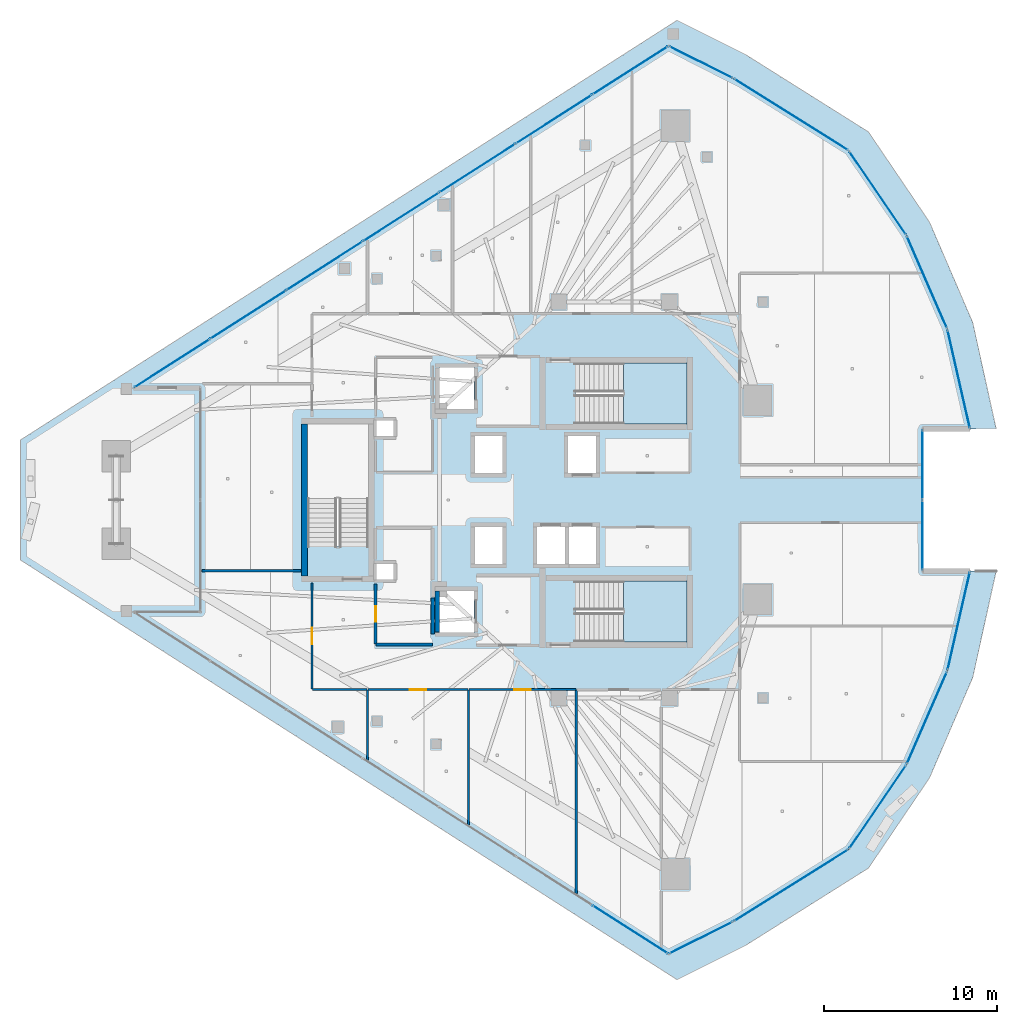
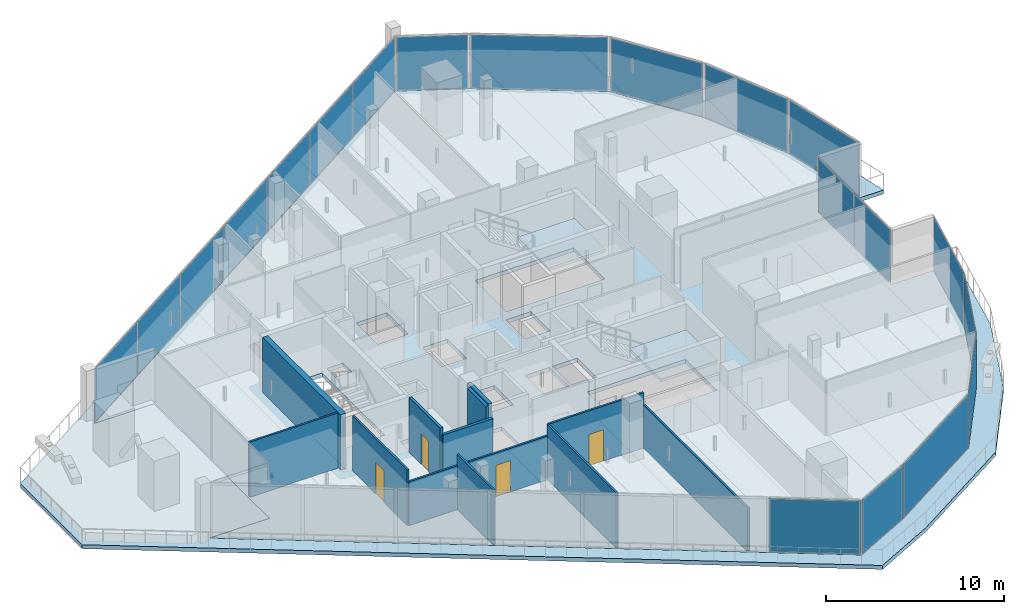
# One storey, part 20 of 32: 20 plates, 13 walls, 4 doors, 4 slabs, 4 openings, 15 elements without a shape of their own.
"""IFC4 building model written with IfcOpenShell, lengths in metres."""

from ifc_helpers import new_model, si_unit, direction, frame, frame_2d, origin, origin_2d, place, context, subcontext, project, spatial, polyline, rectangle, outline, extrude, material, layer, layer_set, type_object, element, fill, aggregate, save


model = new_model("IFC4")

# Units and contexts
model_context = context("Model", 3, precision=1e-05, world=origin(), true_north=direction((0.0, 1.0)))
body_context = subcontext(model_context, "Body", "Model", "MODEL_VIEW")
ifc_project = project(units=[si_unit("LENGTHUNIT", "METRE"), si_unit("AREAUNIT", "SQUARE_METRE"), si_unit("VOLUMEUNIT", "CUBIC_METRE"), si_unit("PLANEANGLEUNIT", "RADIAN"), si_unit("MASSUNIT", "GRAM", prefix="KILO")], contexts=[model_context])

# Site, building, storey
site_placement = place(None, origin())
site = spatial("IfcSite", under=ifc_project, at=site_placement, CompositionType="ELEMENT")
building_placement = place(site_placement, origin())
building = spatial("IfcBuilding", under=site, at=building_placement, Name="Qorvath Tower", CompositionType="ELEMENT")
storey_placement = place(building_placement, frame((0.0, 0.0, 233.39990234375)))
storey = spatial("IfcBuildingStorey", under=building, at=storey_placement, Name="L54", CompositionType="ELEMENT", Elevation=233.39990234375)

# Curtain wall, plate
ifc_material_1 = material(Name="Anodised aluminium and triple low-E glass", Category="aluminium")
ifc_layer_1 = layer(ifc_material_1, 0.179931640625)
ifc_layer_set_1 = layer_set([ifc_layer_1], Name="CW-SYS-5")
curtain_wall_type = type_object("IfcCurtainWallType", Name="CW-SYS-5", PredefinedType="NOTDEFINED", material=ifc_layer_set_1)
curtain_wall_1_placement = place(storey_placement, origin())
curtain_wall_1 = element("IfcCurtainWall", 1, at=curtain_wall_1_placement, inside=storey, type_object=curtain_wall_type, Name="Curtain Wall CW-5 CW-T-L54-4.1", PredefinedType="NOTDEFINED")
ifc_material_2 = material(Name="Low-E triple insulated glass", Category="glass")
ifc_layer_2 = layer(ifc_material_2, 0.031982421875)
ifc_layer_set_2 = layer_set([ifc_layer_2], Name="CWP-GLZ-32")
plate_type = type_object("IfcPlateType", Name="CWP-GLZ-32", PredefinedType="CURTAIN_PANEL", material=ifc_layer_set_2)
plate_1_placement = place(storey_placement, frame((-19.480224609375, -24.808349609375, 0.06494140625), z_axis=(0.0, 0.0, 1.0), x_axis=(0.842607495057, -0.538528188002, 0.0)))
plate_1 = element("IfcPlate", 2, at=plate_1_placement, type_object=plate_type, Name="CW-5 panel 7.1", PredefinedType="CURTAIN_PANEL", context=body_context, shape_type="SweptSolid", body=[
    extrude(rectangle(XDim=5.127197265625, YDim=0.031982421875, at=origin_2d()), origin(), (0.0, 0.0, 1.0), 3.64990234375),
])
aggregate(curtain_wall_1, [plate_1])

curtain_wall_2_placement = place(storey_placement, origin())
curtain_wall_2 = element("IfcCurtainWall", 3, at=curtain_wall_2_placement, inside=storey, type_object=curtain_wall_type, Name="Curtain Wall CW-5 CW-T-L54-5.1", PredefinedType="NOTDEFINED")
plate_2_placement = place(storey_placement, frame((-15.38330078125, -25.29248046875, 0.06494140625), z_axis=(0.0, 0.0, 1.0), x_axis=(0.894427191001, 0.447213595499, 0.0)))
plate_2 = element("IfcPlate", 4, at=plate_2_placement, type_object=plate_type, Name="CW-5 panel 1.1", PredefinedType="CURTAIN_PANEL", context=body_context, shape_type="SweptSolid", body=[
    extrude(rectangle(XDim=4.039306640625, YDim=0.031982421875, at=origin_2d()), origin(), (0.0, 0.0, 1.0), 3.64990234375),
])
aggregate(curtain_wall_2, [plate_2])

curtain_wall_3_placement = place(storey_placement, origin())
curtain_wall_3 = element("IfcCurtainWall", 5, at=curtain_wall_3_placement, inside=storey, type_object=curtain_wall_type, Name="Curtain Wall CW-5 CW-T-L54-6.1", PredefinedType="NOTDEFINED")
plate_3_placement = place(storey_placement, frame((-10.170654296875, -22.26611328125, 0.06494140625), z_axis=(0.0, 0.0, 1.0), x_axis=(0.847686533499, 0.530497446671, 0.0)))
plate_3 = element("IfcPlate", 6, at=plate_3_placement, type_object=plate_type, Name="CW-5 panel 1.1", PredefinedType="CURTAIN_PANEL", context=body_context, shape_type="SweptSolid", body=[
    extrude(rectangle(XDim=7.728271484375, YDim=0.031982421875, at=origin_2d()), origin(), (0.0, 0.0, 1.0), 3.64990234375),
])
aggregate(curtain_wall_3, [plate_3])

curtain_wall_4_placement = place(storey_placement, origin())
curtain_wall_4 = element("IfcCurtainWall", 7, at=curtain_wall_4_placement, inside=storey, type_object=curtain_wall_type, Name="Curtain Wall CW-5 CW-T-L54-7.1", PredefinedType="NOTDEFINED")
plate_4_placement = place(storey_placement, frame((-5.168212890625, -17.734619140625, 0.06494140625), z_axis=(0.0, 0.0, 1.0), x_axis=(0.562975482577, 0.826473596685, 0.0)))
plate_4 = element("IfcPlate", 8, at=plate_4_placement, type_object=plate_type, Name="CW-5 panel 1.1", PredefinedType="CURTAIN_PANEL", context=body_context, shape_type="SweptSolid", body=[
    extrude(rectangle(XDim=5.759033203125, YDim=0.031982421875, at=origin_2d()), origin(), (0.0, 0.0, 1.0), 3.64990234375),
])
aggregate(curtain_wall_4, [plate_4])

curtain_wall_5_placement = place(storey_placement, origin())
curtain_wall_5 = element("IfcCurtainWall", 9, at=curtain_wall_5_placement, inside=storey, type_object=curtain_wall_type, Name="Curtain Wall CW-5 CW-T-L54-8.1", PredefinedType="NOTDEFINED")
plate_5_placement = place(storey_placement, frame((-2.32470703125, -12.584228515625, 0.06494140625), z_axis=(0.0, 0.0, 1.0), x_axis=(0.39951066322, 0.916728547594, 0.0)))
plate_5 = element("IfcPlate", 10, at=plate_5_placement, type_object=plate_type, Name="CW-5 panel 1.1", PredefinedType="CURTAIN_PANEL", context=body_context, shape_type="SweptSolid", body=[
    extrude(rectangle(XDim=5.7587890625, YDim=0.031982421875, at=origin_2d()), origin(), (0.0, 0.0, 1.0), 3.64990234375),
])
aggregate(curtain_wall_5, [plate_5])

curtain_wall_6_placement = place(storey_placement, origin())
curtain_wall_6 = element("IfcCurtainWall", 11, at=curtain_wall_6_placement, inside=storey, type_object=curtain_wall_type, Name="Curtain Wall CW-5 CW-T-L54-9.1", PredefinedType="NOTDEFINED")
plate_6_placement = place(storey_placement, frame((-0.48828125, -6.995361328125, 0.06494140625), z_axis=(0.0, 0.0, 1.0), x_axis=(0.222041687, 0.975037173258, 0.0)))
plate_6 = element("IfcPlate", 12, at=plate_6_placement, type_object=plate_type, Name="CW-5 panel 1.1", PredefinedType="CURTAIN_PANEL", context=body_context, shape_type="SweptSolid", body=[
    extrude(rectangle(XDim=5.7587890625, YDim=0.031982421875, at=origin_2d()), origin(), (0.0, 0.0, 1.0), 3.64990234375),
])
aggregate(curtain_wall_6, [plate_6])

# Curtain wall, plates
curtain_wall_7_placement = place(storey_placement, origin())
curtain_wall_7 = element("IfcCurtainWall", 13, at=curtain_wall_7_placement, inside=storey, type_object=curtain_wall_type, Name="Curtain Wall CW-5 CW-T-L54-11.1", PredefinedType="NOTDEFINED")
plate_7_placement = place(storey_placement, frame((-2.575439453125, -2.03857421875, 0.06494140625), z_axis=(0.0, 0.0, 1.0), x_axis=(0.0, 1.0, 0.0)))
plate_7 = element("IfcPlate", 14, at=plate_7_placement, type_object=plate_type, Name="CW-5 panel 1.1", PredefinedType="CURTAIN_PANEL", context=body_context, shape_type="SweptSolid", body=[
    extrude(rectangle(XDim=4.002197265625, YDim=0.031982421875, at=origin_2d()), origin(), (0.0, 0.0, 1.0), 3.64990234375),
])
plate_8_placement = place(storey_placement, frame((-2.575439453125, 2.03857421875, 0.06494140625), z_axis=(0.0, 0.0, 1.0), x_axis=(0.0, 1.0, 0.0)))
plate_8 = element("IfcPlate", 15, at=plate_8_placement, type_object=plate_type, Name="CW-5 panel 2.1", PredefinedType="CURTAIN_PANEL", context=body_context, shape_type="SweptSolid", body=[
    extrude(rectangle(XDim=4.002197265625, YDim=0.031982421875, at=origin_2d()), origin(), (0.0, 0.0, 1.0), 3.64990234375),
])
aggregate(curtain_wall_7, [plate_7, plate_8])

# Curtain wall, plate
curtain_wall_8_placement = place(storey_placement, origin())
curtain_wall_8 = element("IfcCurtainWall", 16, at=curtain_wall_8_placement, inside=storey, type_object=curtain_wall_type, Name="Curtain Wall CW-5 CW-T-L54-13.1", PredefinedType="NOTDEFINED")
plate_9_placement = place(storey_placement, frame((-0.48828125, 6.995361328125, 0.06494140625), z_axis=(0.0, 0.0, 1.0), x_axis=(-0.222041687, 0.975037173258, 0.0)))
plate_9 = element("IfcPlate", 17, at=plate_9_placement, type_object=plate_type, Name="CW-5 panel 1.1", PredefinedType="CURTAIN_PANEL", context=body_context, shape_type="SweptSolid", body=[
    extrude(rectangle(XDim=5.7587890625, YDim=0.031982421875, at=origin_2d()), origin(), (0.0, 0.0, 1.0), 3.64990234375),
])
aggregate(curtain_wall_8, [plate_9])

curtain_wall_9_placement = place(storey_placement, origin())
curtain_wall_9 = element("IfcCurtainWall", 18, at=curtain_wall_9_placement, inside=storey, type_object=curtain_wall_type, Name="Curtain Wall CW-5 CW-T-L54-14.1", PredefinedType="NOTDEFINED")
plate_10_placement = place(storey_placement, frame((-2.32470703125, 12.584228515625, 0.06494140625), z_axis=(0.0, 0.0, 1.0), x_axis=(-0.39951066322, 0.916728547594, 0.0)))
plate_10 = element("IfcPlate", 19, at=plate_10_placement, type_object=plate_type, Name="CW-5 panel 1.1", PredefinedType="CURTAIN_PANEL", context=body_context, shape_type="SweptSolid", body=[
    extrude(rectangle(XDim=5.7587890625, YDim=0.031982421875, at=origin_2d()), origin(), (0.0, 0.0, 1.0), 3.64990234375),
])
aggregate(curtain_wall_9, [plate_10])

curtain_wall_10_placement = place(storey_placement, origin())
curtain_wall_10 = element("IfcCurtainWall", 20, at=curtain_wall_10_placement, inside=storey, type_object=curtain_wall_type, Name="Curtain Wall CW-5 CW-T-L54-15.1", PredefinedType="NOTDEFINED")
plate_11_placement = place(storey_placement, frame((-5.168212890625, 17.734619140625, 0.06494140625), z_axis=(0.0, 0.0, 1.0), x_axis=(-0.562975482577, 0.826473596685, 0.0)))
plate_11 = element("IfcPlate", 21, at=plate_11_placement, type_object=plate_type, Name="CW-5 panel 1.1", PredefinedType="CURTAIN_PANEL", context=body_context, shape_type="SweptSolid", body=[
    extrude(rectangle(XDim=5.759033203125, YDim=0.031982421875, at=origin_2d()), origin(), (0.0, 0.0, 1.0), 3.64990234375),
])
aggregate(curtain_wall_10, [plate_11])

curtain_wall_11_placement = place(storey_placement, origin())
curtain_wall_11 = element("IfcCurtainWall", 22, at=curtain_wall_11_placement, inside=storey, type_object=curtain_wall_type, Name="Curtain Wall CW-5 CW-T-L54-16.1", PredefinedType="NOTDEFINED")
plate_12_placement = place(storey_placement, frame((-10.170654296875, 22.26611328125, 0.06494140625), z_axis=(0.0, 0.0, 1.0), x_axis=(-0.847686533499, 0.530497446671, 0.0)))
plate_12 = element("IfcPlate", 23, at=plate_12_placement, type_object=plate_type, Name="CW-5 panel 1.1", PredefinedType="CURTAIN_PANEL", context=body_context, shape_type="SweptSolid", body=[
    extrude(rectangle(XDim=7.728271484375, YDim=0.031982421875, at=origin_2d()), origin(), (0.0, 0.0, 1.0), 3.64990234375),
])
aggregate(curtain_wall_11, [plate_12])

curtain_wall_12_placement = place(storey_placement, origin())
curtain_wall_12 = element("IfcCurtainWall", 24, at=curtain_wall_12_placement, inside=storey, type_object=curtain_wall_type, Name="Curtain Wall CW-5 CW-T-L54-17.1", PredefinedType="NOTDEFINED")
plate_13_placement = place(storey_placement, frame((-15.38330078125, 25.29248046875, 0.06494140625), z_axis=(0.0, 0.0, 1.0), x_axis=(-0.894427191001, 0.447213595499, 0.0)))
plate_13 = element("IfcPlate", 25, at=plate_13_placement, type_object=plate_type, Name="CW-5 panel 1.1", PredefinedType="CURTAIN_PANEL", context=body_context, shape_type="SweptSolid", body=[
    extrude(rectangle(XDim=4.039306640625, YDim=0.031982421875, at=origin_2d()), origin(), (0.0, 0.0, 1.0), 3.64990234375),
])
aggregate(curtain_wall_12, [plate_13])

# Curtain wall, plates
curtain_wall_13_placement = place(storey_placement, origin())
curtain_wall_13 = element("IfcCurtainWall", 26, at=curtain_wall_13_placement, inside=storey, type_object=curtain_wall_type, Name="Curtain Wall CW-5 CW-T-L54-18.1", PredefinedType="NOTDEFINED")
plate_14_placement = place(storey_placement, frame((-19.480224609375, 24.808349609375, 0.06494140625), z_axis=(0.0, 0.0, 1.0), x_axis=(-0.842607495057, -0.538528188002, 0.0)))
plate_14 = element("IfcPlate", 27, at=plate_14_placement, type_object=plate_type, Name="CW-5 panel 1.1", PredefinedType="CURTAIN_PANEL", context=body_context, shape_type="SweptSolid", body=[
    extrude(rectangle(XDim=5.127197265625, YDim=0.031982421875, at=origin_2d()), origin(), (0.0, 0.0, 1.0), 3.64990234375),
])
plate_15_placement = place(storey_placement, frame((-23.87939453125, 21.99658203125, 0.06494140625), z_axis=(0.0, 0.0, 1.0), x_axis=(-0.842607495057, -0.538528188002, 0.0)))
plate_15 = element("IfcPlate", 28, at=plate_15_placement, type_object=plate_type, Name="CW-5 panel 2.1", PredefinedType="CURTAIN_PANEL", context=body_context, shape_type="SweptSolid", body=[
    extrude(rectangle(XDim=5.164794921875, YDim=0.031982421875, at=origin_2d()), origin(), (0.0, 0.0, 1.0), 3.64990234375),
])
plate_16_placement = place(storey_placement, frame((-28.29443359375, 19.1748046875, 0.06494140625), z_axis=(0.0, 0.0, 1.0), x_axis=(-0.842607495057, -0.538528188002, 0.0)))
plate_16 = element("IfcPlate", 29, at=plate_16_placement, type_object=plate_type, Name="CW-5 panel 3.1", PredefinedType="CURTAIN_PANEL", context=body_context, shape_type="SweptSolid", body=[
    extrude(rectangle(XDim=5.164794921875, YDim=0.031982421875, at=origin_2d()), origin(), (0.0, 0.0, 1.0), 3.64990234375),
])
plate_17_placement = place(storey_placement, frame((-32.709228515625, 16.353271484375, 0.06494140625), z_axis=(0.0, 0.0, 1.0), x_axis=(-0.842607495057, -0.538528188002, 0.0)))
plate_17 = element("IfcPlate", 30, at=plate_17_placement, type_object=plate_type, Name="CW-5 panel 4.1", PredefinedType="CURTAIN_PANEL", context=body_context, shape_type="SweptSolid", body=[
    extrude(rectangle(XDim=5.164794921875, YDim=0.031982421875, at=origin_2d()), origin(), (0.0, 0.0, 1.0), 3.64990234375),
])
plate_18_placement = place(storey_placement, frame((-37.124267578125, 13.531494140625, 0.06494140625), z_axis=(0.0, 0.0, 1.0), x_axis=(-0.842607495057, -0.538528188002, 0.0)))
plate_18 = element("IfcPlate", 31, at=plate_18_placement, type_object=plate_type, Name="CW-5 panel 5.1", PredefinedType="CURTAIN_PANEL", context=body_context, shape_type="SweptSolid", body=[
    extrude(rectangle(XDim=5.164794921875, YDim=0.031982421875, at=origin_2d()), origin(), (0.0, 0.0, 1.0), 3.64990234375),
])
plate_19_placement = place(storey_placement, frame((-41.539306640625, 10.709716796875, 0.06494140625), z_axis=(0.0, 0.0, 1.0), x_axis=(-0.842607495057, -0.538528188002, 0.0)))
plate_19 = element("IfcPlate", 32, at=plate_19_placement, type_object=plate_type, Name="CW-5 panel 6.1", PredefinedType="CURTAIN_PANEL", context=body_context, shape_type="SweptSolid", body=[
    extrude(rectangle(XDim=5.164794921875, YDim=0.031982421875, at=origin_2d()), origin(), (0.0, 0.0, 1.0), 3.64990234375),
])
plate_20_placement = place(storey_placement, frame((-45.9384765625, 7.89794921875, 0.06494140625), z_axis=(0.0, 0.0, 1.0), x_axis=(-0.842607495057, -0.538528188002, 0.0)))
plate_20 = element("IfcPlate", 33, at=plate_20_placement, type_object=plate_type, Name="CW-5 panel 7.1", PredefinedType="CURTAIN_PANEL", context=body_context, shape_type="SweptSolid", body=[
    extrude(rectangle(XDim=5.127197265625, YDim=0.031982421875, at=origin_2d()), origin(), (0.0, 0.0, 1.0), 3.64990234375),
])
aggregate(curtain_wall_13, [plate_14, plate_15, plate_16, plate_17, plate_18, plate_19, plate_20])

# Stair, slab
ifc_material_3 = material(Name="Concrete C50/60", Category="concrete")
stair_type = type_object("IfcStairType", Name="ST-H405", PredefinedType="HALF_TURN_STAIR", material=ifc_material_3)
stair_1_placement = place(storey_placement, origin())
stair_1 = element("IfcStair", 34, at=stair_1_placement, inside=storey, type_object=stair_type, Name="L54 Tower Exit Stair 1", PredefinedType="HALF_TURN_STAIR")
ifc_material_4 = material(Name="Concrete C50/60", Category="concrete")
ifc_layer_3 = layer(ifc_material_4, 0.199951171875)
ifc_layer_set_3 = layer_set([ifc_layer_3], Name="SL-LND-200")
slab_type_1 = type_object("IfcSlabType", Name="SL-LND-200", PredefinedType="LANDING", material=ifc_layer_set_3)
slab_1_placement = place(storey_placement, frame((0.0, 0.0, 1.8251953125)))
slab_1 = element("IfcSlab", 35, at=slab_1_placement, type_object=slab_type_1, Name="TS1 landing 1", PredefinedType="LANDING", context=body_context, shape_type="SweptSolid", body=[
    extrude(outline(polyline([(-19.8701171875, 4.39990234375), (-16.199951171875, 4.39990234375), (-16.199951171875, 7.909912109375), (-19.8701171875, 7.909912109375), (-19.8701171875, 4.39990234375)])), origin(), (0.0, 0.0, 1.0), 0.199951171875),
])
aggregate(stair_1, [slab_1])

stair_2_placement = place(storey_placement, origin())
stair_2 = element("IfcStair", 36, at=stair_2_placement, inside=storey, type_object=stair_type, Name="L54 Tower Exit Stair 2", PredefinedType="HALF_TURN_STAIR")
slab_2_placement = place(storey_placement, frame((0.0, 0.0, 1.8251953125)))
slab_2 = element("IfcSlab", 37, at=slab_2_placement, type_object=slab_type_1, Name="TS2 landing 1", PredefinedType="LANDING", context=body_context, shape_type="SweptSolid", body=[
    extrude(outline(polyline([(-19.8701171875, -8.199951171875), (-16.199951171875, -8.199951171875), (-16.199951171875, -4.68994140625), (-19.8701171875, -4.68994140625), (-19.8701171875, -8.199951171875)])), origin(), (0.0, 0.0, 1.0), 0.199951171875),
])
aggregate(stair_2, [slab_2])

# Slabs
ifc_material_5 = material(Name="Precast concrete C45/55", Category="concrete")
ifc_layer_4 = layer(ifc_material_5, 0.27001953125)
ifc_layer_set_4 = layer_set([ifc_layer_4], Name="SL-LOG-270")
slab_type_2 = type_object("IfcSlabType", Name="SL-LOG-270", PredefinedType="FLOOR", material=ifc_layer_set_4)
slab_3_placement = place(storey_placement, frame((0.0, 0.0, -0.27001953125)))
element("IfcSlab", 38, at=slab_3_placement, inside=storey, type_object=slab_type_2, Name="Tower L54 Perimeter Loggia and Terrace Slab", PredefinedType="FLOOR", context=body_context, shape_type="SweptSolid", body=[
    extrude(outline(polyline([(0.167724609375, -4.11474609375), (-1.144287109375, -9.8759765625), (-3.5048828125, -15.292724609375), (-6.83154296875, -20.17626953125), (-13.509765625, -24.355712890625), (-17.2568359375, -26.229248046875), (-48.161865234375, -6.47705078125), (-44.2880859375, -6.47705078125), (-44.2880859375, 6.47705078125), (-48.161865234375, 6.47705078125), (-17.2568359375, 26.229248046875), (-13.509765625, 24.355712890625), (-6.83154296875, 20.17626953125), (-3.5048828125, 15.292724609375), (-1.144287109375, 9.8759765625), (0.167724609375, 4.11474609375), (1.676513671875, 4.11474609375), (0.314697265625, 10.26708984375), (-2.17724609375, 16.054443359375), (-5.7109375, 21.271240234375), (-12.803955078125, 25.732421875), (-16.7626953125, 27.711669921875), (-54.701416015625, 3.464111328125), (-54.701416015625, -3.464111328125), (-16.7626953125, -27.711669921875), (-12.803955078125, -25.732421875), (-5.7109375, -21.271240234375), (-2.17724609375, -16.054443359375), (0.314697265625, -10.26708984375), (1.676513671875, -4.11474609375), (0.167724609375, -4.11474609375)])), origin(), (0.0, 0.0, 1.0), 0.27001953125),
])
ifc_material_6 = material(Name="Concrete C45/55", Category="concrete")
ifc_layer_5 = layer(ifc_material_6, 0.27001953125)
ifc_layer_set_5 = layer_set([ifc_layer_5], Name="SL-MID-270")
slab_type_3 = type_object("IfcSlabType", Name="SL-MID-270", PredefinedType="FLOOR", material=ifc_layer_set_5)
slab_4_placement = place(storey_placement, frame((0.0, 0.0, -0.27001953125)))
element("IfcSlab", 39, at=slab_4_placement, inside=storey, type_object=slab_type_3, Name="Tower L54 Interior Floor Slab", PredefinedType="FLOOR", context=body_context, shape_type="SweptSolid", body=[
    extrude(outline(polyline([(-17.2568359375, 26.229248046875), (-48.161865234375, 6.47705078125), (-44.2880859375, 6.47705078125), (-44.2880859375, -6.47705078125), (-48.161865234375, -6.47705078125), (-17.2568359375, -26.229248046875), (-13.509765625, -24.355712890625), (-6.83154296875, -20.17626953125), (-3.5048828125, -15.292724609375), (-1.144287109375, -9.8759765625), (0.167724609375, -4.11474609375), (-2.575439453125, -4.11474609375), (-2.575439453125, 4.11474609375), (0.167724609375, 4.11474609375), (-1.144287109375, 9.8759765625), (-3.5048828125, 15.292724609375), (-6.83154296875, 20.17626953125), (-13.509765625, 24.355712890625), (-17.2568359375, 26.229248046875)]), holes=[polyline([(-16.2451171875, -8.199951171875), (-22.625, -8.199951171875), (-22.625, -4.68994140625), (-16.2451171875, -4.68994140625), (-16.2451171875, -8.199951171875)]), polyline([(-22.625, 4.39990234375), (-22.625, 7.909912109375), (-16.2451171875, 7.909912109375), (-16.2451171875, 4.39990234375), (-22.625, 4.39990234375)]), polyline([(-21.449951171875, -3.699951171875), (-23.050048828125, -3.699951171875), (-23.050048828125, -1.550048828125), (-21.449951171875, -1.550048828125), (-21.449951171875, -3.699951171875)]), polyline([(-23.050048828125, 1.550048828125), (-23.050048828125, 3.699951171875), (-21.449951171875, 3.699951171875), (-21.449951171875, 1.550048828125), (-23.050048828125, 1.550048828125)]), polyline([(-24.85009765625, -3.699951171875), (-24.85009765625, -1.550048828125), (-23.25, -1.550048828125), (-23.25, -3.699951171875), (-24.85009765625, -3.699951171875)]), polyline([(-28.449951171875, -3.699951171875), (-28.449951171875, -1.550048828125), (-26.85009765625, -1.550048828125), (-26.85009765625, -3.699951171875), (-28.449951171875, -3.699951171875)]), polyline([(-26.85009765625, 1.550048828125), (-28.449951171875, 1.550048828125), (-28.449951171875, 3.699951171875), (-26.85009765625, 3.699951171875), (-26.85009765625, 1.550048828125)]), polyline([(-28.5, -7.64990234375), (-30.5, -7.64990234375), (-30.5, -5.25), (-28.5, -5.25), (-28.5, -7.64990234375)]), polyline([(-30.5, 5.25), (-30.5, 7.64990234375), (-28.5, 7.64990234375), (-28.5, 5.25), (-30.5, 5.25)]), polyline([(-34.14990234375, -4.6201171875), (-34.14990234375, -3.64990234375), (-33.10009765625, -3.64990234375), (-33.10009765625, -4.6201171875), (-34.14990234375, -4.6201171875)]), polyline([(-34.14990234375, 3.64990234375), (-34.14990234375, 4.6201171875), (-33.10009765625, 4.6201171875), (-33.10009765625, 3.64990234375), (-34.14990234375, 3.64990234375)]), polyline([(-34.60009765625, -2.675048828125), (-38.110107421875, -2.675048828125), (-38.110107421875, 4.35498046875), (-34.60009765625, 4.35498046875), (-34.60009765625, -2.675048828125)])]), origin(), (0.0, 0.0, 1.0), 0.27001953125),
])

# Walls
ifc_material_7 = material(Name="Gypsum shaftliner on steel studs", Category="steel")
ifc_layer_6 = layer(ifc_material_7, 0.179931640625)
ifc_layer_set_6 = layer_set([ifc_layer_6], Name="FW-LOBBY")
wall_type_1 = type_object("IfcWallType", Name="FW-LOBBY", PredefinedType="PARTITIONING", material=ifc_layer_set_6)
wall_1_placement = place(storey_placement, frame((-34.15478515625, -8.35009765625, 0.0), z_axis=(0.0, 0.0, 1.0), x_axis=(1.0, 0.0, 0.0)))
element("IfcWall", 40, at=wall_1_placement, inside=storey, type_object=wall_type_1, Name="Interior Partition IW-T1-L54-015", PredefinedType="PARTITIONING", context=body_context, shape_type="SweptSolid", body=[
    extrude(rectangle(XDim=3.25, YDim=0.179931640625, at=frame_2d((1.625, 0.0))), origin(), (0.0, 0.0, 1.0), 3.34375),
])
wall_2_placement = place(storey_placement, frame((-30.8798828125, -7.742919921875, 0.0), z_axis=(0.0, 0.0, 1.0), x_axis=(0.0, 1.0, 0.0)))
element("IfcWall", 41, at=wall_2_placement, inside=storey, type_object=wall_type_1, Name="Interior Partition IW-T1-L54-016", PredefinedType="PARTITIONING", context=body_context, shape_type="SweptSolid", body=[
    extrude(rectangle(XDim=2.077880859375, YDim=0.179931640625, at=frame_2d((1.0390625, 0.0))), origin(), (0.0, 0.0, 1.0), 3.780029296875),
])

# Wall, opening, door
wall_3_placement = place(storey_placement, frame((-34.179931640625, -4.840087890625, 0.0), z_axis=(0.0, 0.0, 1.0), x_axis=(0.0, -1.0, 0.0)))
wall_3 = element("IfcWall", 42, at=wall_3_placement, inside=storey, type_object=wall_type_1, Name="Interior Partition IW-T1-L54-020", PredefinedType="PARTITIONING", context=body_context, shape_type="SweptSolid", body=[
    extrude(rectangle(XDim=3.485107421875, YDim=0.179931640625, at=frame_2d((1.74267578125, 0.0))), origin(), (0.0, 0.0, 1.0), 3.780029296875),
])
opening_1_placement = place(wall_3_placement, frame((1.302490234375, 0.0, 0.0)))
opening_1 = element("IfcOpeningElement", 43, at=opening_1_placement, cuts=wall_3, Name="Opening D-T1-L54-04", PredefinedType="OPENING", context=body_context, shape_type="SweptSolid", body=[
    extrude(rectangle(XDim=0.8798828125, YDim=2.10009765625, at=frame_2d((0.43994140625, 1.050048828125))), frame((0.0, 0.10009765625, 0.0), z_axis=(0.0, -1.0, 0.0), x_axis=(1.0, 0.0, 0.0)), (0.0, 0.0, 1.0), 0.199951171875),
])
ifc_material_8 = material(Name="Painted galvanised hollow metal", Category="steel")
door_type_1 = type_object("IfcDoorType", Name="FD-60N", OperationType="NOTDEFINED", PredefinedType="DOOR", material=ifc_material_8)
door_1_placement = place(opening_1_placement, origin())
door_1 = element("IfcDoor", 44, at=door_1_placement, inside=storey, type_object=door_type_1, Name="Core electrical and cleaner room L54 Door D-T1-L54-04", OperationType="SINGLE_SWING_LEFT", OverallHeight=2.10009765625, OverallWidth=0.8798828125, PredefinedType="DOOR", context=body_context, shape_type="SweptSolid", body=[
    extrude(rectangle(XDim=0.8798828125, YDim=2.10009765625, at=frame_2d((0.43994140625, 1.050048828125))), frame((0.0, 0.02490234375, 0.0), z_axis=(0.0, -1.0, 0.0), x_axis=(1.0, 0.0, 0.0)), (0.0, 0.0, 1.0), 0.050048828125),
])
fill(opening_1, door_1)

ifc_material_9 = material(Name="Gypsum board on metal studs with mineral wool", Category="gypsum")
ifc_layer_7 = layer(ifc_material_9, 0.125)
ifc_layer_set_7 = layer_set([ifc_layer_7], Name="IW-PART-125")
wall_type_2 = type_object("IfcWallType", Name="IW-PART-125", PredefinedType="PARTITIONING", material=ifc_layer_set_7)
wall_4_placement = place(storey_placement, frame((-28.8359375, -10.9580078125, 0.0), z_axis=(0.0, 0.0, 1.0), x_axis=(-1.0, 0.0, 0.0)))
wall_4 = element("IfcWall", 45, at=wall_4_placement, inside=storey, type_object=wall_type_2, Name="Interior Partition IW-T1-L54-031", PredefinedType="PARTITIONING", context=body_context, shape_type="SweptSolid", body=[
    extrude(rectangle(XDim=5.7890625, YDim=0.125, at=frame_2d((2.89453125, 0.0))), origin(), (0.0, 0.0, 1.0), 3.0),
])
opening_2_placement = place(wall_4_placement, frame((2.41943359375, 0.0, 0.0)))
opening_2 = element("IfcOpeningElement", 46, at=opening_2_placement, cuts=wall_4, Name="Opening D-T1-L54-09", PredefinedType="OPENING", context=body_context, shape_type="SweptSolid", body=[
    extrude(rectangle(XDim=0.949951171875, YDim=2.14990234375, at=frame_2d((0.47509765625, 1.074951171875))), frame((0.0, 0.072509765625, 0.0), z_axis=(0.0, -1.0, 0.0), x_axis=(1.0, 0.0, 0.0)), (0.0, 0.0, 1.0), 0.14501953125),
])
ifc_material_10 = material(Name="Solid-core American white oak veneer", Category="wood")
door_type_2 = type_object("IfcDoorType", Name="D-01", OperationType="NOTDEFINED", PredefinedType="DOOR", material=ifc_material_10)
door_2_placement = place(opening_2_placement, origin())
door_2 = element("IfcDoor", 47, at=door_2_placement, inside=storey, type_object=door_type_2, Name="L54-05 Executive Partner Office Door D-T1-L54-09", OperationType="SINGLE_SWING_RIGHT", OverallHeight=2.14990234375, OverallWidth=0.949951171875, PredefinedType="DOOR", context=body_context, shape_type="SweptSolid", body=[
    extrude(rectangle(XDim=0.949951171875, YDim=2.14990234375, at=frame_2d((0.47509765625, 1.074951171875))), frame((0.0, 0.02490234375, 0.0), z_axis=(0.0, -1.0, 0.0), x_axis=(1.0, 0.0, 0.0)), (0.0, 0.0, 1.0), 0.050048828125),
])
fill(opening_2, door_2)

# Walls
wall_5_placement = place(storey_placement, frame((-34.64990234375, -10.98291015625, 0.0), z_axis=(0.0, 0.0, 1.0), x_axis=(0.0, -1.0, 0.0)))
element("IfcWall", 48, at=wall_5_placement, inside=storey, type_object=wall_type_2, Name="Interior Partition IW-T1-L54-032", PredefinedType="PARTITIONING", context=body_context, shape_type="SweptSolid", body=[
    extrude(rectangle(XDim=4.050048828125, YDim=0.125, at=frame_2d((2.02490234375, 0.0))), origin(), (0.0, 0.0, 1.0), 3.780029296875),
])
wall_6_placement = place(storey_placement, frame((-28.81103515625, -18.7646484375, 0.0), z_axis=(0.0, 0.0, 1.0), x_axis=(0.0, 1.0, 0.0)))
element("IfcWall", 49, at=wall_6_placement, inside=storey, type_object=wall_type_2, Name="Interior Partition IW-T1-L54-033", PredefinedType="PARTITIONING", context=body_context, shape_type="SweptSolid", body=[
    extrude(rectangle(XDim=7.78173828125, YDim=0.125, at=frame_2d((3.890869140625, 0.0))), origin(), (0.0, 0.0, 1.0), 3.780029296875),
])

# Wall, opening, door
wall_7_placement = place(storey_placement, frame((-22.6123046875, -10.9580078125, 0.0), z_axis=(0.0, 0.0, 1.0), x_axis=(-1.0, 0.0, 0.0)))
wall_7 = element("IfcWall", 50, at=wall_7_placement, inside=storey, type_object=wall_type_2, Name="Interior Partition IW-T1-L54-034", PredefinedType="PARTITIONING", context=body_context, shape_type="SweptSolid", body=[
    extrude(rectangle(XDim=6.166015625, YDim=0.125, at=frame_2d((3.0830078125, 0.0))), origin(), (0.0, 0.0, 1.0), 3.780029296875),
])
opening_3_placement = place(wall_7_placement, frame((2.60791015625, 0.0, 0.0)))
opening_3 = element("IfcOpeningElement", 51, at=opening_3_placement, cuts=wall_7, Name="Opening D-T1-L54-10", PredefinedType="OPENING", context=body_context, shape_type="SweptSolid", body=[
    extrude(rectangle(XDim=0.949951171875, YDim=2.14990234375, at=frame_2d((0.47509765625, 1.074951171875))), frame((0.0, 0.072509765625, 0.0), z_axis=(0.0, -1.0, 0.0), x_axis=(1.0, 0.0, 0.0)), (0.0, 0.0, 1.0), 0.14501953125),
])
door_3_placement = place(opening_3_placement, origin())
door_3 = element("IfcDoor", 52, at=door_3_placement, inside=storey, type_object=door_type_2, Name="L54-06 Breakout Reading Alcove Door D-T1-L54-10", OperationType="SINGLE_SWING_LEFT", OverallHeight=2.14990234375, OverallWidth=0.949951171875, PredefinedType="DOOR", context=body_context, shape_type="SweptSolid", body=[
    extrude(rectangle(XDim=0.949951171875, YDim=2.14990234375, at=frame_2d((0.47509765625, 1.074951171875))), frame((0.0, 0.02490234375, 0.0), z_axis=(0.0, -1.0, 0.0), x_axis=(1.0, 0.0, 0.0)), (0.0, 0.0, 1.0), 0.050048828125),
])
fill(opening_3, door_3)

# Walls
wall_8_placement = place(storey_placement, frame((-22.587158203125, -22.742431640625, 0.0), z_axis=(0.0, 0.0, 1.0), x_axis=(0.0, 1.0, 0.0)))
element("IfcWall", 53, at=wall_8_placement, inside=storey, type_object=wall_type_2, Name="Interior Partition IW-T1-L54-035", PredefinedType="PARTITIONING", context=body_context, shape_type="SweptSolid", body=[
    extrude(rectangle(XDim=11.759521484375, YDim=0.125, at=frame_2d((5.8798828125, 0.0))), origin(), (0.0, 0.0, 1.0), 2.97705078125),
])
wall_9_placement = place(storey_placement, frame((-37.8330078125, -10.9580078125, 0.0), z_axis=(0.0, 0.0, 1.0), x_axis=(1.0, 0.0, 0.0)))
element("IfcWall", 54, at=wall_9_placement, inside=storey, type_object=wall_type_2, Name="Interior Partition IW-T1-L54-049", PredefinedType="PARTITIONING", context=body_context, shape_type="SweptSolid", body=[
    extrude(rectangle(XDim=3.14990234375, YDim=0.125, at=frame_2d((1.574951171875, 0.0))), origin(), (0.0, 0.0, 1.0), 3.0),
])

# Wall, opening, door
wall_10_placement = place(storey_placement, frame((-37.85791015625, -10.93310546875, 0.0), z_axis=(0.0, 0.0, 1.0), x_axis=(0.0, 1.0, 0.0)))
wall_10 = element("IfcWall", 55, at=wall_10_placement, inside=storey, type_object=wall_type_2, Name="Interior Partition IW-T1-L54-050", PredefinedType="PARTITIONING", context=body_context, shape_type="SweptSolid", body=[
    extrude(rectangle(XDim=6.14990234375, YDim=0.125, at=frame_2d((3.074951171875, 0.0))), origin(), (0.0, 0.0, 1.0), 3.780029296875),
])
opening_4_placement = place(wall_10_placement, frame((2.599853515625, 0.0, 0.0)))
opening_4 = element("IfcOpeningElement", 56, at=opening_4_placement, cuts=wall_10, Name="Opening D-T1-L54-16", PredefinedType="OPENING", context=body_context, shape_type="SweptSolid", body=[
    extrude(rectangle(XDim=0.949951171875, YDim=2.14990234375, at=frame_2d((0.47509765625, 1.074951171875))), frame((0.0, 0.072509765625, 0.0), z_axis=(0.0, -1.0, 0.0), x_axis=(1.0, 0.0, 0.0)), (0.0, 0.0, 1.0), 0.14501953125),
])
door_4_placement = place(opening_4_placement, origin())
door_4 = element("IfcDoor", 57, at=door_4_placement, inside=storey, type_object=door_type_2, Name="L54-12 Staff Refreshment Pantry and Coffee Bar Door D-T1-L54-16", OperationType="SINGLE_SWING_LEFT", OverallHeight=2.14990234375, OverallWidth=0.949951171875, PredefinedType="DOOR", context=body_context, shape_type="SweptSolid", body=[
    extrude(rectangle(XDim=0.949951171875, YDim=2.14990234375, at=frame_2d((0.47509765625, 1.074951171875))), frame((0.0, 0.02490234375, 0.0), z_axis=(0.0, -1.0, 0.0), x_axis=(1.0, 0.0, 0.0)), (0.0, 0.0, 1.0), 0.050048828125),
])
fill(opening_4, door_4)

# Walls
wall_11_placement = place(storey_placement, frame((-38.492919921875, -4.08642578125, 0.0), z_axis=(0.0, 0.0, 1.0), x_axis=(-1.0, 0.0, 0.0)))
element("IfcWall", 58, at=wall_11_placement, inside=storey, type_object=wall_type_2, Name="Interior Partition IW-T1-L54-051", PredefinedType="PARTITIONING", context=body_context, shape_type="SweptSolid", body=[
    extrude(rectangle(XDim=5.715087890625, YDim=0.125, at=frame_2d((2.857421875, 0.0))), origin(), (0.0, 0.0, 1.0), 3.780029296875),
])
ifc_material_11 = material(Name="Concrete C60/75", Category="concrete")
ifc_layer_8 = layer(ifc_material_11, 0.260009765625)
ifc_layer_set_8 = layer_set([ifc_layer_8], Name="SW-SHAFT")
wall_type_3 = type_object("IfcWallType", Name="SW-SHAFT", PredefinedType="SHEAR", material=ifc_layer_set_8)
wall_12_placement = place(storey_placement, frame((-30.6201171875, -7.637939453125, 0.0), z_axis=(0.0, 0.0, 1.0), x_axis=(0.0, 1.0, 0.0)))
element("IfcWall", 59, at=wall_12_placement, inside=storey, type_object=wall_type_3, Name="Hoistway Wall FSAE-2 L54 W", PredefinedType="SHEAR", context=body_context, shape_type="SweptSolid", body=[
    extrude(rectangle(XDim=2.3759765625, YDim=0.239990234375, at=frame_2d((1.18798828125, 0.0))), origin(), (0.0, 0.0, 1.0), 3.780029296875),
])
ifc_material_12 = material(Name="Concrete C60/75", Category="concrete")
ifc_layer_9 = layer(ifc_material_12, 0.35009765625)
ifc_layer_set_9 = layer_set([ifc_layer_9], Name="SW-STAIR")
wall_type_4 = type_object("IfcWallType", Name="SW-STAIR", PredefinedType="SHEAR", material=ifc_layer_set_9)
wall_13_placement = place(storey_placement, frame((-38.284912109375, 4.385009765625, 0.0), z_axis=(0.0, 0.0, 1.0), x_axis=(0.0, -1.0, 0.0)))
element("IfcWall", 60, at=wall_13_placement, inside=storey, type_object=wall_type_4, Name="Stair TS3 Shear Wall L54 RIGHT", PredefinedType="SHEAR", context=body_context, shape_type="SweptSolid", body=[
    extrude(rectangle(XDim=8.77001953125, YDim=0.35009765625, at=frame_2d((4.385009765625, 0.0))), origin(), (0.0, 0.0, 1.0), 3.780029296875),
])

save(model, "model.ifc")
